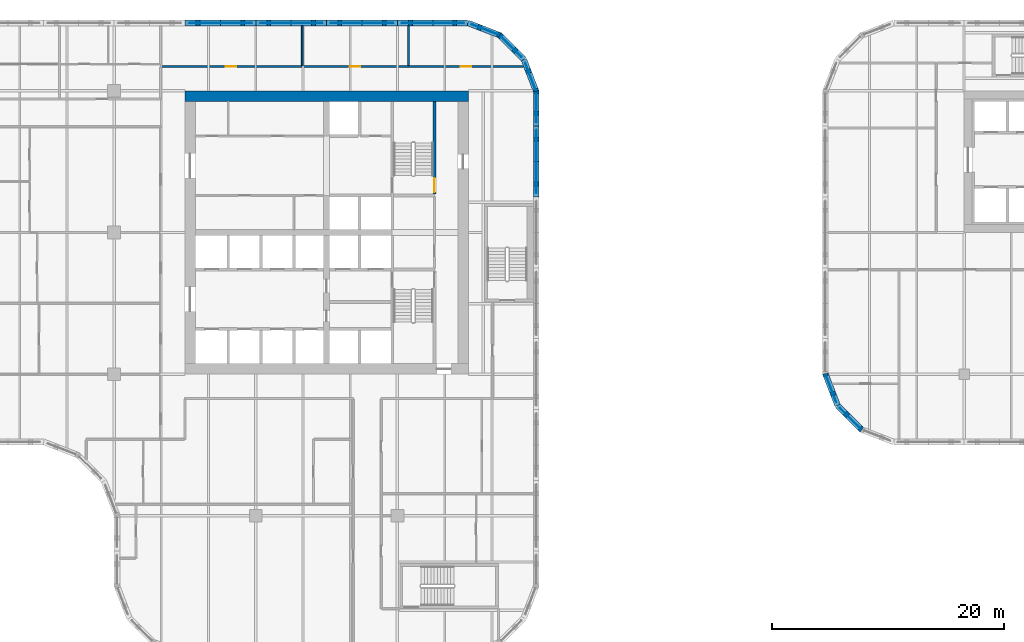
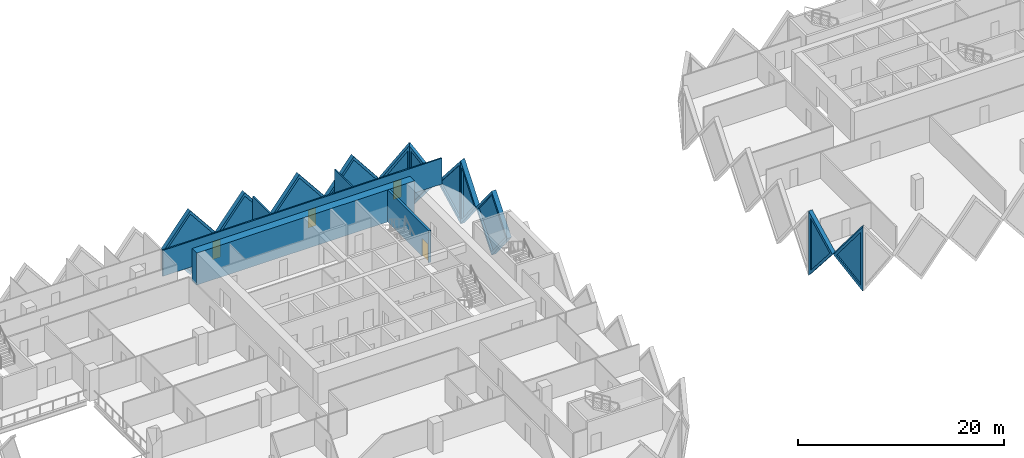
# One storey, part 10 of 18: 16 walls, 11 plates, 4 doors, 15 openings.
"""IFC4 building model written with IfcOpenShell, lengths in metres."""

from ifc_helpers import new_model, si_unit, direction, frame, frame_2d, origin, place, context, subcontext, project, spatial, polyline, rectangle, outline, extrude, faceted_brep, source, transform, mapped, material, layer, layer_set, type_object, element, fill, save


model = new_model("IFC4")

# Units and contexts
model_context = context("Model", 3, precision=1e-05, world=origin(), true_north=direction((0.0, 1.0)))
body_context = subcontext(model_context, "Body", "Model", "MODEL_VIEW")
ifc_project = project(units=[si_unit("LENGTHUNIT", "METRE"), si_unit("AREAUNIT", "SQUARE_METRE"), si_unit("VOLUMEUNIT", "CUBIC_METRE"), si_unit("PLANEANGLEUNIT", "RADIAN"), si_unit("MASSUNIT", "GRAM", prefix="KILO")], contexts=[model_context])

# Site, building, storey
site_placement = place(None, origin())
site = spatial("IfcSite", under=ifc_project, at=site_placement, CompositionType="ELEMENT")
building_placement = place(site_placement, origin())
building = spatial("IfcBuilding", under=site, at=building_placement, Name="Tessera Gate Towers", CompositionType="ELEMENT")
storey_placement = place(building_placement, frame((0.0, 0.0, 44.800048828125)))
storey = spatial("IfcBuildingStorey", under=building, at=storey_placement, Name="L10", CompositionType="ELEMENT", Elevation=44.800048828125)

# Wall, opening, door
ifc_material_1 = material(Name="Concrete C40/50", Category="concrete")
ifc_layer_1 = layer(ifc_material_1, 0.25)
ifc_layer_set_1 = layer_set([ifc_layer_1], Name="CORE ENCLOSURE WALL 250")
wall_type_1 = type_object("IfcWallType", Name="CORE ENCLOSURE WALL 250", PredefinedType="SOLIDWALL", material=ifc_layer_set_1)
wall_1_placement = place(storey_placement, frame((52.0, 39.925048828125, 0.0), z_axis=(0.0, 0.0, 1.0), x_axis=(0.0, 1.0, 0.0)))
wall_1 = element("IfcWall", 1, at=wall_1_placement, inside=storey, type_object=wall_type_1, Name="L10 shaft and stair enclosure wall", PredefinedType="SOLIDWALL", context=body_context, shape_type="SweptSolid", body=[
    extrude(rectangle(XDim=7.974853515625, YDim=0.25, at=frame_2d((3.9873046875, 0.0))), origin(), (0.0, 0.0, 1.0), 3.800048828125),
])
shared_shape_1 = source(origin(), body_context, "Body", "SweptSolid", [
    extrude(rectangle(XDim=1.199951171875, YDim=2.10009765625, at=frame_2d((0.60009765625, 1.050048828125))), frame((0.0, 0.135009765625, 0.0), z_axis=(0.0, -1.0, 0.0), x_axis=(1.0, 0.0, 0.0)), (0.0, 0.0, 1.0), 0.27001953125),
])
opening_1_placement = place(wall_1_placement, frame((0.14990234375, 0.0, 0.0)))
opening_1 = element("IfcOpeningElement", 2, at=opening_1_placement, cuts=wall_1, Name="Opening SD-ST2-2", PredefinedType="OPENING", context=body_context, shape_type="MappedRepresentation", body=[
    mapped(shared_shape_1, transform((0.0, 0.0, 0.0), scale=1.0)),
])
ifc_material_2 = material(Name="Hollow steel fire door", Category="steel")
door_type_1 = type_object("IfcDoorType", Name="CORE DOOR SD 1200x2100", OperationType="NOTDEFINED", PredefinedType="DOOR", material=ifc_material_2)
shared_shape_2 = source(origin(), body_context, "Body", "SweptSolid", [
    extrude(rectangle(XDim=1.199951171875, YDim=2.10009765625, at=frame_2d((0.60009765625, 1.050048828125))), frame((0.0, 0.02490234375, 0.0), z_axis=(0.0, -1.0, 0.0), x_axis=(1.0, 0.0, 0.0)), (0.0, 0.0, 1.0), 0.050048828125),
])
door_1_placement = place(opening_1_placement, origin())
door_1 = element("IfcDoor", 3, at=door_1_placement, inside=storey, type_object=door_type_1, Name="Stair door", OperationType="SINGLE_SWING_LEFT", OverallHeight=2.10009765625, OverallWidth=1.199951171875, PredefinedType="DOOR", context=body_context, shape_type="MappedRepresentation", body=[
    mapped(shared_shape_2, transform((0.0, 0.0, 0.0), scale=1.0)),
])
fill(opening_1, door_1)

# Wall
ifc_material_3 = material(Name="Concrete C70/85", Category="concrete")
ifc_layer_2 = layer(ifc_material_3, 0.89990234375)
ifc_layer_set_2 = layer_set([ifc_layer_2], Name="CORE SHEAR WALL 900 C70/85")
wall_type_2 = type_object("IfcWallType", Name="CORE SHEAR WALL 900 C70/85", PredefinedType="SHEAR", material=ifc_layer_set_2)
wall_2_placement = place(storey_placement, frame((30.5, 48.35009765625, 0.0), z_axis=(0.0, 0.0, 1.0), x_axis=(1.0, 0.0, 0.0)))
element("IfcWall", 4, at=wall_2_placement, inside=storey, type_object=wall_type_2, Name="Core wall N L10", PredefinedType="SHEAR", context=body_context, shape_type="SweptSolid", body=[
    extrude(rectangle(XDim=24.39990234375, YDim=0.89990234375, at=frame_2d((12.199951171875, 0.0))), origin(), (0.0, 0.0, 1.0), 3.800048828125),
])

# Wall, openings, doors
ifc_material_4 = material(Name="Gypsum board on steel studs, mineral wool", Category="steel")
ifc_layer_3 = layer(ifc_material_4, 0.14990234375)
ifc_layer_set_3 = layer_set([ifc_layer_3], Name="CORRIDOR WALL 150")
wall_type_3 = type_object("IfcWallType", Name="CORRIDOR WALL 150", PredefinedType="PARTITIONING", material=ifc_layer_set_3)
wall_3_placement = place(storey_placement, frame((28.39990234375, 50.89990234375, 0.0), z_axis=(0.0, 0.0, 1.0), x_axis=(1.0, 0.0, 0.0)))
wall_3 = element("IfcWall", 5, at=wall_3_placement, inside=storey, type_object=wall_type_3, Name="T1-L10-PW-046", PredefinedType="PARTITIONING", context=body_context, shape_type="SweptSolid", body=[
    extrude(rectangle(XDim=31.254150390625, YDim=0.14990234375, at=frame_2d((15.626953125, 0.0))), origin(), (0.0, 0.0, 1.0), 3.06689453125),
])
shared_shape_3 = source(origin(), body_context, "Body", "SweptSolid", [
    extrude(rectangle(XDim=0.89990234375, YDim=2.10009765625, at=frame_2d((0.449951171875, 1.050048828125))), frame((0.0, 0.0849609375, 0.0), z_axis=(0.0, -1.0, 0.0), x_axis=(1.0, 0.0, 0.0)), (0.0, 0.0, 1.0), 0.169921875),
])
opening_2_placement = place(wall_3_placement, frame((16.301025390625, 0.0, 0.0)))
opening_2 = element("IfcOpeningElement", 6, at=opening_2_placement, cuts=wall_3, Name="Opening D890FD60-A03-09", PredefinedType="OPENING", context=body_context, shape_type="MappedRepresentation", body=[
    mapped(shared_shape_3, transform((0.0, 0.0, 0.0), scale=1.0)),
])
opening_3_placement = place(wall_3_placement, frame((25.85009765625, 0.0, 0.0)))
opening_3 = element("IfcOpeningElement", 7, at=opening_3_placement, cuts=wall_3, Name="Opening D890FD60-A03-11", PredefinedType="OPENING", context=body_context, shape_type="MappedRepresentation", body=[
    mapped(shared_shape_3, transform((0.0, 0.0, 0.0), scale=1.0)),
])
opening_4_placement = place(wall_3_placement, frame((5.60009765625, 0.0, 0.0)))
opening_4 = element("IfcOpeningElement", 8, at=opening_4_placement, cuts=wall_3, Name="Opening D890FD60-A03-13", PredefinedType="OPENING", context=body_context, shape_type="MappedRepresentation", body=[
    mapped(shared_shape_3, transform((0.0, 0.0, 0.0), scale=1.0)),
])
ifc_material_5 = material(Name="Timber door leaf in steel frame", Category="steel")
door_type_2 = type_object("IfcDoorType", Name="CORRIDOR DOOR 900 FD60", OperationType="NOTDEFINED", PredefinedType="DOOR", material=ifc_material_5)
shared_shape_4 = source(origin(), body_context, "Body", "SweptSolid", [
    extrude(rectangle(XDim=0.89990234375, YDim=2.10009765625, at=frame_2d((0.449951171875, 1.050048828125))), frame((0.0, 0.02490234375, 0.0), z_axis=(0.0, -1.0, 0.0), x_axis=(1.0, 0.0, 0.0)), (0.0, 0.0, 1.0), 0.050048828125),
])
door_2_placement = place(opening_2_placement, origin())
door_2 = element("IfcDoor", 9, at=door_2_placement, inside=storey, type_object=door_type_2, Name="T1-L10-PD-026", OperationType="SINGLE_SWING_LEFT", OverallHeight=2.10009765625, OverallWidth=0.89990234375, PredefinedType="DOOR", context=body_context, shape_type="MappedRepresentation", body=[
    mapped(shared_shape_4, transform((0.0, 0.0, 0.0), scale=1.0)),
])
fill(opening_2, door_2)
door_3_placement = place(opening_3_placement, origin())
door_3 = element("IfcDoor", 10, at=door_3_placement, inside=storey, type_object=door_type_2, Name="T1-L10-PD-028", OperationType="SINGLE_SWING_LEFT", OverallHeight=2.10009765625, OverallWidth=0.89990234375, PredefinedType="DOOR", context=body_context, shape_type="MappedRepresentation", body=[
    mapped(shared_shape_4, transform((0.0, 0.0, 0.0), scale=1.0)),
])
fill(opening_3, door_3)
door_4_placement = place(opening_4_placement, origin())
door_4 = element("IfcDoor", 11, at=door_4_placement, inside=storey, type_object=door_type_2, Name="T1-L10-PD-030", OperationType="SINGLE_SWING_LEFT", OverallHeight=2.10009765625, OverallWidth=0.89990234375, PredefinedType="DOOR", context=body_context, shape_type="MappedRepresentation", body=[
    mapped(shared_shape_4, transform((0.0, 0.0, 0.0), scale=1.0)),
])
fill(opening_4, door_4)

# Walls
ifc_material_6 = material(Name="Gypsum board on steel studs, mineral wool", Category="steel")
ifc_layer_4 = layer(ifc_material_6, 0.14990234375)
ifc_layer_set_4 = layer_set([ifc_layer_4], Name="TENANCY WALL 150")
wall_type_4 = type_object("IfcWallType", Name="TENANCY WALL 150", PredefinedType="PARTITIONING", material=ifc_layer_set_4)
for number, where, z_axis, x_axis, name in (
    (12, (40.60009765625, 50.97607421875, 0.0), (0.0, 0.0, 1.0), (0.0, 1.0, 0.0), "T1-L10-PW-047"),
    (13, (49.75, 50.97607421875, 0.0), (0.0, 0.0, 1.0), (0.0, 1.0, 0.0), "T1-L10-PW-048"),
):
    element("IfcWall", number, at=place(storey_placement, frame(where, z_axis=z_axis, x_axis=x_axis)), inside=storey, type_object=wall_type_4, Name=name, PredefinedType="PARTITIONING", context=body_context, shape_type="SweptSolid", body=[
        extrude(rectangle(XDim=3.423828125, YDim=0.14990234375, at=frame_2d((1.7119140625, 0.0))), origin(), (0.0, 0.0, 1.0), 3.06689453125),
    ])

# Wall, opening, plate
ifc_material_7 = material(Name="Precast concrete C60/75 white", Category="concrete")
ifc_layer_5 = layer(ifc_material_7, 0.5)
ifc_layer_set_5 = layer_set([ifc_layer_5], Name="TS1 tessera")
wall_type_5 = type_object("IfcWallType", Name="TS1 tessera", PredefinedType="SOLIDWALL", material=ifc_layer_set_5)
shared_shape_5 = source(origin(), body_context, "Body", "Brep", [
    faceted_brep([(3.00341796875, -0.25, 0.0), (6.053466796875, -0.25, 3.800048828125), (3.00341796875, -0.25, 7.60009765625), (0.0, -0.25, 3.800048828125), (0.046630859375, 0.25, 3.85888671875), (3.00341796875, 0.25, 7.60009765625), (6.053466796875, 0.25, 3.800048828125), (3.00341796875, 0.25, 0.0), (0.046630859375, 0.25, 3.7412109375), (0.0, 0.0, 3.800048828125)], [[[0, 1, 2, 3]], [[4, 5, 6, 7, 8]], [[7, 6, 1, 0]], [[6, 5, 2, 1]], [[5, 4, 9, 3, 2]], [[8, 7, 0, 3, 9]], [[8, 9, 4]]]),
])
wall_4_placement = place(storey_placement, frame((54.853515625, 54.64990234375, -3.800048828125), z_axis=(0.0, 0.0, 1.0), x_axis=(-1.0, 0.0, 0.0)))
wall_4 = element("IfcWall", 14, at=wall_4_placement, inside=storey, type_object=wall_type_5, Name="Precast tessera T1 TS1-0125", PredefinedType="SOLIDWALL", context=body_context, shape_type="MappedRepresentation", body=[
    mapped(shared_shape_5, transform((0.0, 0.0, 0.0), scale=1.0)),
])
shared_shape_6 = source(origin(), body_context, "Body", "SweptSolid", [
    extrude(outline(polyline([(3.0048828125, 0.4013671875), (5.73291015625, 3.800048828125), (3.0048828125, 7.19873046875), (0.318603515625, 3.800048828125), (3.0048828125, 0.4013671875)])), frame((0.0, 0.260009765625, 0.0), z_axis=(0.0, -1.0, 0.0), x_axis=(1.0, 0.0, 0.0)), (0.0, 0.0, 1.0), 0.52001953125),
])
opening_5_placement = place(wall_4_placement, origin())
opening_5 = element("IfcOpeningElement", 15, at=opening_5_placement, cuts=wall_4, Name="Opening T1-PL2-0253", PredefinedType="OPENING", context=body_context, shape_type="MappedRepresentation", body=[
    mapped(shared_shape_6, transform((0.0, 0.0, 0.0), scale=1.0)),
])
ifc_material_8 = material(Name="Low-e laminated glass", Category="glass")
ifc_layer_6 = layer(ifc_material_8, 0.06005859375)
ifc_layer_set_6 = layer_set([ifc_layer_6], Name="PL2 rhombic pane")
plate_type = type_object("IfcPlateType", Name="PL2 rhombic pane", PredefinedType="SHEET", material=ifc_layer_set_6)
shared_shape_7 = source(origin(), body_context, "Body", "SweptSolid", [
    extrude(outline(polyline([(3.0048828125, 0.4013671875), (5.73291015625, 3.800048828125), (3.0048828125, 7.19873046875), (0.318603515625, 3.800048828125), (3.0048828125, 0.4013671875)])), frame((0.0, 0.030029296875, 0.0), z_axis=(0.0, -1.0, 0.0), x_axis=(1.0, 0.0, 0.0)), (0.0, 0.0, 1.0), 0.06005859375),
])
plate_1_placement = place(opening_5_placement, origin())
plate_1 = element("IfcPlate", 16, at=plate_1_placement, inside=storey, type_object=plate_type, Name="Glass pane T1 PL2-0253", PredefinedType="SHEET", context=body_context, shape_type="MappedRepresentation", body=[
    mapped(shared_shape_7, transform((0.0, 0.0, 0.0), scale=1.0)),
])
fill(opening_5, plate_1)

shared_shape_8 = source(origin(), body_context, "Body", "Brep", [
    faceted_brep([(3.050048828125, -0.25, 0.0), (6.099853515625, -0.25, 3.7998046875), (6.099853515625, -0.25, 3.80029296875), (3.050048828125, -0.25, 7.60009765625), (0.0, -0.25, 3.800048828125), (0.0, 0.25, 3.800048828125), (3.050048828125, 0.25, 7.60009765625), (6.099853515625, 0.25, 3.80029296875), (6.099853515625, 0.25, 3.7998046875), (3.050048828125, 0.25, 0.0)], [[[0, 1, 2, 3, 4]], [[5, 6, 7, 8, 9]], [[9, 8, 1, 0]], [[7, 6, 3, 2]], [[6, 5, 4, 3]], [[5, 9, 0, 4]], [[1, 8, 7, 2]]]),
])
wall_5_placement = place(storey_placement, frame((42.699951171875, 54.64990234375, -3.800048828125), z_axis=(0.0, 0.0, 1.0), x_axis=(-1.0, 0.0, 0.0)))
wall_5 = element("IfcWall", 17, at=wall_5_placement, inside=storey, type_object=wall_type_5, Name="Precast tessera T1 TS1-0127", PredefinedType="SOLIDWALL", context=body_context, shape_type="MappedRepresentation", body=[
    mapped(shared_shape_8, transform((0.0, 0.0, 0.0), scale=1.0)),
])
shared_shape_9 = source(origin(), body_context, "Body", "SweptSolid", [
    extrude(outline(polyline([(3.050048828125, 0.3994140625), (5.779541015625, 3.800048828125), (3.050048828125, 7.20068359375), (0.320556640625, 3.800048828125), (3.050048828125, 0.3994140625)])), frame((0.0, 0.260009765625, 0.0), z_axis=(0.0, -1.0, 0.0), x_axis=(1.0, 0.0, 0.0)), (0.0, 0.0, 1.0), 0.52001953125),
])
opening_6_placement = place(wall_5_placement, origin())
opening_6 = element("IfcOpeningElement", 18, at=opening_6_placement, cuts=wall_5, Name="Opening T1-PL2-0255", PredefinedType="OPENING", context=body_context, shape_type="MappedRepresentation", body=[
    mapped(shared_shape_9, transform((0.0, 0.0, 0.0), scale=1.0)),
])
shared_shape_10 = source(origin(), body_context, "Body", "SweptSolid", [
    extrude(outline(polyline([(3.050048828125, 0.3994140625), (5.779541015625, 3.800048828125), (3.050048828125, 7.20068359375), (0.320556640625, 3.800048828125), (3.050048828125, 0.3994140625)])), frame((0.0, 0.030029296875, 0.0), z_axis=(0.0, -1.0, 0.0), x_axis=(1.0, 0.0, 0.0)), (0.0, 0.0, 1.0), 0.06005859375),
])
plate_2_placement = place(opening_6_placement, origin())
plate_2 = element("IfcPlate", 19, at=plate_2_placement, inside=storey, type_object=plate_type, Name="Glass pane T1 PL2-0255", PredefinedType="SHEET", context=body_context, shape_type="MappedRepresentation", body=[
    mapped(shared_shape_10, transform((0.0, 0.0, 0.0), scale=1.0)),
])
fill(opening_6, plate_2)

shared_shape_11 = source(origin(), body_context, "Body", "SweptSolid", [
    extrude(outline(polyline([(3.050048828125, 0.0), (6.10009765625, 3.800048828125), (3.050048828125, 7.60009765625), (0.0, 3.800048828125), (3.050048828125, 0.0)])), frame((0.0, 0.25, 0.0), z_axis=(0.0, -1.0, 0.0), x_axis=(1.0, 0.0, 0.0)), (0.0, 0.0, 1.0), 0.5),
])
wall_6_placement = place(storey_placement, frame((60.75, 39.64990234375, -3.800048828125), z_axis=(0.0, 0.0, 1.0), x_axis=(0.0, 1.0, 0.0)))
wall_6 = element("IfcWall", 20, at=wall_6_placement, inside=storey, type_object=wall_type_5, Name="Precast tessera T1 TS1-0124", PredefinedType="SOLIDWALL", context=body_context, shape_type="MappedRepresentation", body=[
    mapped(shared_shape_11, transform((0.0, 0.0, 0.0), scale=1.0)),
])
opening_7_placement = place(wall_6_placement, origin())
opening_7 = element("IfcOpeningElement", 21, at=opening_7_placement, cuts=wall_6, Name="Opening T1-PL2-0248", PredefinedType="OPENING", context=body_context, shape_type="MappedRepresentation", body=[
    mapped(shared_shape_9, transform((0.0, 0.0, 0.0), scale=1.0)),
])
plate_3_placement = place(opening_7_placement, origin())
plate_3 = element("IfcPlate", 22, at=plate_3_placement, inside=storey, type_object=plate_type, Name="Glass pane T1 PL2-0248", PredefinedType="SHEET", context=body_context, shape_type="MappedRepresentation", body=[
    mapped(shared_shape_10, transform((0.0, 0.0, 0.0), scale=1.0)),
])
fill(opening_7, plate_3)

wall_7_placement = place(storey_placement, frame((48.800048828125, 54.64990234375, -3.800048828125), z_axis=(0.0, 0.0, 1.0), x_axis=(-1.0, 0.0, 0.0)))
wall_7 = element("IfcWall", 23, at=wall_7_placement, inside=storey, type_object=wall_type_5, Name="Precast tessera T1 TS1-0126", PredefinedType="SOLIDWALL", context=body_context, shape_type="MappedRepresentation", body=[
    mapped(shared_shape_11, transform((0.0, 0.0, 0.0), scale=1.0)),
])
opening_8_placement = place(wall_7_placement, origin())
opening_8 = element("IfcOpeningElement", 24, at=opening_8_placement, cuts=wall_7, Name="Opening T1-PL2-0254", PredefinedType="OPENING", context=body_context, shape_type="MappedRepresentation", body=[
    mapped(shared_shape_9, transform((0.0, 0.0, 0.0), scale=1.0)),
])
plate_4_placement = place(opening_8_placement, origin())
plate_4 = element("IfcPlate", 25, at=plate_4_placement, inside=storey, type_object=plate_type, Name="Glass pane T1 PL2-0254", PredefinedType="SHEET", context=body_context, shape_type="MappedRepresentation", body=[
    mapped(shared_shape_10, transform((0.0, 0.0, 0.0), scale=1.0)),
])
fill(opening_8, plate_4)

wall_8_placement = place(storey_placement, frame((36.60009765625, 54.64990234375, -3.800048828125), z_axis=(0.0, 0.0, 1.0), x_axis=(-1.0, 0.0, 0.0)))
wall_8 = element("IfcWall", 26, at=wall_8_placement, inside=storey, type_object=wall_type_5, Name="Precast tessera T1 TS1-0128", PredefinedType="SOLIDWALL", context=body_context, shape_type="MappedRepresentation", body=[
    mapped(shared_shape_11, transform((0.0, 0.0, 0.0), scale=1.0)),
])
opening_9_placement = place(wall_8_placement, origin())
opening_9 = element("IfcOpeningElement", 27, at=opening_9_placement, cuts=wall_8, Name="Opening T1-PL2-0256", PredefinedType="OPENING", context=body_context, shape_type="MappedRepresentation", body=[
    mapped(shared_shape_9, transform((0.0, 0.0, 0.0), scale=1.0)),
])
plate_5_placement = place(opening_9_placement, origin())
plate_5 = element("IfcPlate", 28, at=plate_5_placement, inside=storey, type_object=plate_type, Name="Glass pane T1 PL2-0256", PredefinedType="SHEET", context=body_context, shape_type="MappedRepresentation", body=[
    mapped(shared_shape_10, transform((0.0, 0.0, 0.0), scale=1.0)),
])
fill(opening_9, plate_5)

ifc_material_9 = material(Name="Precast concrete C60/75 white", Category="concrete")
ifc_layer_7 = layer(ifc_material_9, 0.5)
ifc_layer_set_7 = layer_set([ifc_layer_7], Name="TS3 corner tessera")
wall_type_6 = type_object("IfcWallType", Name="TS3 corner tessera", PredefinedType="SOLIDWALL", material=ifc_layer_set_7)
shared_shape_12 = source(origin(), body_context, "Body", "Brep", [
    faceted_brep([(3.00341796875, -0.25, 0.0), (3.050048828125, -0.25, 0.06005859375), (3.050048828125, -0.25, 7.5400390625), (3.00341796875, -0.25, 7.60009765625), (0.0, -0.25, 3.800048828125), (0.0, 0.25, 3.800048828125), (2.956787109375, 0.25, 7.541259765625), (2.956787109375, 0.25, 0.058837890625), (3.00341796875, 0.000244140625, 0.0), (3.00341796875, 0.000244140625, 7.60009765625)], [[[0, 1, 2, 3, 4]], [[5, 6, 7]], [[1, 0, 8]], [[9, 3, 2]], [[6, 5, 4, 3, 9]], [[5, 7, 8, 0, 4]], [[1, 8, 7, 6, 9, 2]]]),
])
wall_9_placement = place(storey_placement, frame((60.75, 45.75, -3.800048828125), z_axis=(0.0, 0.0, 1.0), x_axis=(0.0, 1.0, 0.0)))
wall_9 = element("IfcWall", 29, at=wall_9_placement, inside=storey, type_object=wall_type_6, Name="Precast corner tessera T1 TS3-0197", PredefinedType="SOLIDWALL", context=body_context, shape_type="MappedRepresentation", body=[
    mapped(shared_shape_12, transform((0.0, 0.0, 0.0), scale=1.0)),
])
shared_shape_13 = source(origin(), body_context, "Body", "SweptSolid", [
    extrude(outline(polyline([(2.803466796875, 6.94384765625), (0.318603515625, 3.800048828125), (2.803466796875, 0.65625), (2.803466796875, 6.94384765625)])), frame((0.0, 0.260009765625, 0.0), z_axis=(0.0, -1.0, 0.0), x_axis=(1.0, 0.0, 0.0)), (0.0, 0.0, 1.0), 0.52001953125),
])
opening_10_placement = place(wall_9_placement, origin())
opening_10 = element("IfcOpeningElement", 30, at=opening_10_placement, cuts=wall_9, Name="Opening T1-PL2-0249", PredefinedType="OPENING", context=body_context, shape_type="MappedRepresentation", body=[
    mapped(shared_shape_13, transform((0.0, 0.0, 0.0), scale=1.0)),
])
shared_shape_14 = source(origin(), body_context, "Body", "SweptSolid", [
    extrude(outline(polyline([(2.803466796875, 6.94384765625), (0.318603515625, 3.800048828125), (2.803466796875, 0.65625), (2.803466796875, 6.94384765625)])), frame((0.0, 0.030029296875, 0.0), z_axis=(0.0, -1.0, 0.0), x_axis=(1.0, 0.0, 0.0)), (0.0, 0.0, 1.0), 0.06005859375),
])
plate_6_placement = place(opening_10_placement, origin())
plate_6 = element("IfcPlate", 31, at=plate_6_placement, inside=storey, type_object=plate_type, Name="Glass pane T1 PL2-0249", PredefinedType="SHEET", context=body_context, shape_type="MappedRepresentation", body=[
    mapped(shared_shape_14, transform((0.0, 0.0, 0.0), scale=1.0)),
])
fill(opening_10, plate_6)

shared_shape_15 = source(origin(), body_context, "Body", "Brep", [
    faceted_brep([(0.046630859375, -0.25, 0.0), (2.9970703125, -0.25, 3.800048828125), (0.046630859375, -0.25, 7.60009765625), (0.0, -0.25, 7.541259765625), (0.0, -0.25, 0.058837890625), (0.09326171875, 0.25, 7.5400390625), (2.9443359375, 0.25, 3.8681640625), (2.9443359375, 0.25, 3.73193359375), (0.09326171875, 0.25, 0.06005859375), (2.9970703125, 0.00048828125, 3.800048828125), (0.046630859375, 0.0, 0.0), (0.046630859375, 0.0, 7.60009765625)], [[[0, 1, 2, 3, 4]], [[5, 6, 7, 8]], [[8, 7, 9, 1, 0, 10]], [[6, 5, 11, 2, 1, 9]], [[3, 2, 11]], [[10, 0, 4]], [[8, 10, 4, 3, 11, 5]], [[9, 7, 6]]]),
])
wall_10_placement = place(storey_placement, frame((60.766845703125, 48.7099609375, -3.800048828125), z_axis=(0.0, 0.0, 1.0), x_axis=(-0.359901446078, 0.932990326376, 0.0)))
wall_10 = element("IfcWall", 32, at=wall_10_placement, inside=storey, type_object=wall_type_6, Name="Precast corner tessera T1 TS3-0198", PredefinedType="SOLIDWALL", context=body_context, shape_type="MappedRepresentation", body=[
    mapped(shared_shape_15, transform((0.0, 0.0, 0.0), scale=1.0)),
])
shared_shape_16 = source(origin(), body_context, "Body", "SweptSolid", [
    extrude(outline(polyline([(0.24658203125, 0.665283203125), (2.6806640625, 3.800048828125), (0.24658203125, 6.934814453125), (0.24658203125, 0.665283203125)])), frame((0.0, 0.260009765625, 0.0), z_axis=(0.0, -1.0, 0.0), x_axis=(1.0, 0.0, 0.0)), (0.0, 0.0, 1.0), 0.52001953125),
])
opening_11_placement = place(wall_10_placement, origin())
opening_11 = element("IfcOpeningElement", 33, at=opening_11_placement, cuts=wall_10, Name="Opening T1-PL2-0250", PredefinedType="OPENING", context=body_context, shape_type="MappedRepresentation", body=[
    mapped(shared_shape_16, transform((0.0, 0.0, 0.0), scale=1.0)),
])
shared_shape_17 = source(origin(), body_context, "Body", "SweptSolid", [
    extrude(outline(polyline([(0.24658203125, 0.665283203125), (2.6806640625, 3.800048828125), (0.24658203125, 6.934814453125), (0.24658203125, 0.665283203125)])), frame((0.0, 0.030029296875, 0.0), z_axis=(0.0, -1.0, 0.0), x_axis=(1.0, 0.0, 0.0)), (0.0, 0.0, 1.0), 0.06005859375),
])
plate_7_placement = place(opening_11_placement, origin())
plate_7 = element("IfcPlate", 34, at=plate_7_placement, inside=storey, type_object=plate_type, Name="Glass pane T1 PL2-0250", PredefinedType="SHEET", context=body_context, shape_type="MappedRepresentation", body=[
    mapped(shared_shape_17, transform((0.0, 0.0, 0.0), scale=1.0)),
])
fill(opening_11, plate_7)

wall_11_placement = place(storey_placement, frame((85.63330078125, 24.489990234375, -3.800048828125), z_axis=(0.0, 0.0, 1.0), x_axis=(0.359901446078, -0.932990326376, 0.0)))
wall_11 = element("IfcWall", 35, at=wall_11_placement, inside=storey, type_object=wall_type_6, Name="Precast corner tessera T2 TS3-0142", PredefinedType="SOLIDWALL", context=body_context, shape_type="MappedRepresentation", body=[
    mapped(shared_shape_15, transform((0.0, 0.0, 0.0), scale=1.0)),
])
opening_12_placement = place(wall_11_placement, origin())
opening_12 = element("IfcOpeningElement", 36, at=opening_12_placement, cuts=wall_11, Name="Opening T2-PL2-0201", PredefinedType="OPENING", context=body_context, shape_type="MappedRepresentation", body=[
    mapped(shared_shape_16, transform((0.0, 0.0, 0.0), scale=1.0)),
])
plate_8_placement = place(opening_12_placement, origin())
plate_8 = element("IfcPlate", 37, at=plate_8_placement, inside=storey, type_object=plate_type, Name="Glass pane T2 PL2-0201", PredefinedType="SHEET", context=body_context, shape_type="MappedRepresentation", body=[
    mapped(shared_shape_17, transform((0.0, 0.0, 0.0), scale=1.0)),
])
fill(opening_12, plate_8)

shared_shape_18 = source(origin(), body_context, "Body", "Brep", [
    faceted_brep([(2.944091796875, -0.25, 0.0), (2.9970703125, -0.25, 0.068115234375), (2.9970703125, -0.25, 7.531982421875), (2.944091796875, -0.25, 7.60009765625), (0.0, -0.25, 3.800048828125), (0.052978515625, 0.25, 3.868408203125), (2.89111328125, 0.25, 7.531982421875), (2.89111328125, 0.25, 0.068115234375), (0.052978515625, 0.25, 3.731689453125), (2.944091796875, 0.000244140625, 0.0), (2.944091796875, 0.000244140625, 7.60009765625), (0.0, 0.0, 3.800048828125)], [[[0, 1, 2, 3, 4]], [[5, 6, 7, 8]], [[1, 0, 9]], [[10, 3, 2]], [[6, 5, 11, 4, 3, 10]], [[8, 7, 9, 0, 4, 11]], [[8, 11, 5]], [[1, 9, 7, 6, 10, 2]]]),
])
wall_12_placement = place(storey_placement, frame((59.68798828125, 51.50634765625, -3.800048828125), z_axis=(0.0, 0.0, 1.0), x_axis=(-0.707106781187, 0.707106781187, 0.0)))
wall_12 = element("IfcWall", 38, at=wall_12_placement, inside=storey, type_object=wall_type_6, Name="Precast corner tessera T1 TS3-0199", PredefinedType="SOLIDWALL", context=body_context, shape_type="MappedRepresentation", body=[
    mapped(shared_shape_18, transform((0.0, 0.0, 0.0), scale=1.0)),
])
shared_shape_19 = source(origin(), body_context, "Body", "SweptSolid", [
    extrude(outline(polyline([(2.744140625, 6.93359375), (0.316162109375, 3.800048828125), (2.744140625, 0.666259765625), (2.744140625, 6.93359375)])), frame((0.0, 0.260009765625, 0.0), z_axis=(0.0, -1.0, 0.0), x_axis=(1.0, 0.0, 0.0)), (0.0, 0.0, 1.0), 0.52001953125),
])
opening_13_placement = place(wall_12_placement, origin())
opening_13 = element("IfcOpeningElement", 39, at=opening_13_placement, cuts=wall_12, Name="Opening T1-PL2-0251", PredefinedType="OPENING", context=body_context, shape_type="MappedRepresentation", body=[
    mapped(shared_shape_19, transform((0.0, 0.0, 0.0), scale=1.0)),
])
shared_shape_20 = source(origin(), body_context, "Body", "SweptSolid", [
    extrude(outline(polyline([(2.744140625, 6.93359375), (0.316162109375, 3.800048828125), (2.744140625, 0.666259765625), (2.744140625, 6.93359375)])), frame((0.0, 0.030029296875, 0.0), z_axis=(0.0, -1.0, 0.0), x_axis=(1.0, 0.0, 0.0)), (0.0, 0.0, 1.0), 0.06005859375),
])
plate_9_placement = place(opening_13_placement, origin())
plate_9 = element("IfcPlate", 40, at=plate_9_placement, inside=storey, type_object=plate_type, Name="Glass pane T1 PL2-0251", PredefinedType="SHEET", context=body_context, shape_type="MappedRepresentation", body=[
    mapped(shared_shape_20, transform((0.0, 0.0, 0.0), scale=1.0)),
])
fill(opening_13, plate_9)

shared_shape_21 = source(origin(), body_context, "Body", "Brep", [
    faceted_brep([(0.052978515625, -0.25, 0.0), (3.00341796875, -0.25, 3.800048828125), (0.052978515625, -0.25, 7.60009765625), (0.0, -0.25, 7.53173828125), (0.0, -0.25, 0.068359375), (0.10595703125, 0.25, 7.531982421875), (2.95703125, 0.25, 3.85986328125), (2.95703125, 0.25, 3.740234375), (0.10595703125, 0.25, 0.068115234375), (3.00341796875, 0.00048828125, 3.800048828125), (0.052978515625, 0.0, 0.0), (0.052978515625, 0.0, 7.60009765625)], [[[0, 1, 2, 3, 4]], [[5, 6, 7, 8]], [[8, 7, 9, 1, 0, 10]], [[6, 5, 11, 2, 1, 9]], [[3, 2, 11]], [[10, 0, 4]], [[8, 10, 4, 3, 11, 5]], [[9, 7, 6]]]),
])
wall_13_placement = place(storey_placement, frame((57.65576171875, 53.569091796875, -3.800048828125), z_axis=(0.0, 0.0, 1.0), x_axis=(-0.933007896601, 0.359855894603, 0.0)))
wall_13 = element("IfcWall", 41, at=wall_13_placement, inside=storey, type_object=wall_type_6, Name="Precast corner tessera T1 TS3-0200", PredefinedType="SOLIDWALL", context=body_context, shape_type="MappedRepresentation", body=[
    mapped(shared_shape_21, transform((0.0, 0.0, 0.0), scale=1.0)),
])
shared_shape_22 = source(origin(), body_context, "Body", "SweptSolid", [
    extrude(outline(polyline([(0.2529296875, 0.665283203125), (2.68701171875, 3.800048828125), (0.2529296875, 6.934814453125), (0.2529296875, 0.665283203125)])), frame((0.0, 0.260009765625, 0.0), z_axis=(0.0, -1.0, 0.0), x_axis=(1.0, 0.0, 0.0)), (0.0, 0.0, 1.0), 0.52001953125),
])
opening_14_placement = place(wall_13_placement, origin())
opening_14 = element("IfcOpeningElement", 42, at=opening_14_placement, cuts=wall_13, Name="Opening T1-PL2-0252", PredefinedType="OPENING", context=body_context, shape_type="MappedRepresentation", body=[
    mapped(shared_shape_22, transform((0.0, 0.0, 0.0), scale=1.0)),
])
shared_shape_23 = source(origin(), body_context, "Body", "SweptSolid", [
    extrude(outline(polyline([(0.2529296875, 0.665283203125), (2.68701171875, 3.800048828125), (0.2529296875, 6.934814453125), (0.2529296875, 0.665283203125)])), frame((0.0, 0.030029296875, 0.0), z_axis=(0.0, -1.0, 0.0), x_axis=(1.0, 0.0, 0.0)), (0.0, 0.0, 1.0), 0.06005859375),
])
plate_10_placement = place(opening_14_placement, origin())
plate_10 = element("IfcPlate", 43, at=plate_10_placement, inside=storey, type_object=plate_type, Name="Glass pane T1 PL2-0252", PredefinedType="SHEET", context=body_context, shape_type="MappedRepresentation", body=[
    mapped(shared_shape_23, transform((0.0, 0.0, 0.0), scale=1.0)),
])
fill(opening_14, plate_10)

shared_shape_24 = source(origin(), body_context, "Body", "Brep", [
    faceted_brep([(2.944091796875, -0.25, 0.0), (2.9970703125, -0.25, 0.068115234375), (2.9970703125, -0.25, 7.531982421875), (2.944091796875, -0.25, 7.60009765625), (0.0, -0.25, 3.800048828125), (0.052978515625, 0.25, 3.868408203125), (2.89111328125, 0.25, 7.531982421875), (2.89111328125, 0.25, 0.068115234375), (0.052978515625, 0.25, 3.731689453125), (2.944091796875, 0.000244140625, 0.0), (2.944091796875, 0.000244140625, 7.60009765625), (0.0, 0.0, 3.800048828125)], [[[0, 1, 2, 3, 4]], [[5, 6, 7, 8]], [[1, 0, 9]], [[10, 3, 2]], [[6, 5, 11, 4, 3, 10]], [[8, 7, 9, 0, 4, 11]], [[8, 11, 5]], [[1, 9, 7, 6, 10, 2]]]),
])
wall_14_placement = place(storey_placement, frame((86.7119140625, 21.69384765625, -3.800048828125), z_axis=(0.0, 0.0, 1.0), x_axis=(0.707066050402, -0.707147509625, 0.0)))
wall_14 = element("IfcWall", 44, at=wall_14_placement, inside=storey, type_object=wall_type_6, Name="Precast corner tessera T2 TS3-0143", PredefinedType="SOLIDWALL", context=body_context, shape_type="MappedRepresentation", body=[
    mapped(shared_shape_24, transform((0.0, 0.0, 0.0), scale=1.0)),
])
opening_15_placement = place(wall_14_placement, origin())
opening_15 = element("IfcOpeningElement", 45, at=opening_15_placement, cuts=wall_14, Name="Opening T2-PL2-0202", PredefinedType="OPENING", context=body_context, shape_type="MappedRepresentation", body=[
    mapped(shared_shape_19, transform((0.0, 0.0, 0.0), scale=1.0)),
])
plate_11_placement = place(opening_15_placement, origin())
plate_11 = element("IfcPlate", 46, at=plate_11_placement, inside=storey, type_object=plate_type, Name="Glass pane T2 PL2-0202", PredefinedType="SHEET", context=body_context, shape_type="MappedRepresentation", body=[
    mapped(shared_shape_20, transform((0.0, 0.0, 0.0), scale=1.0)),
])
fill(opening_15, plate_11)

save(model, "model.ifc")
